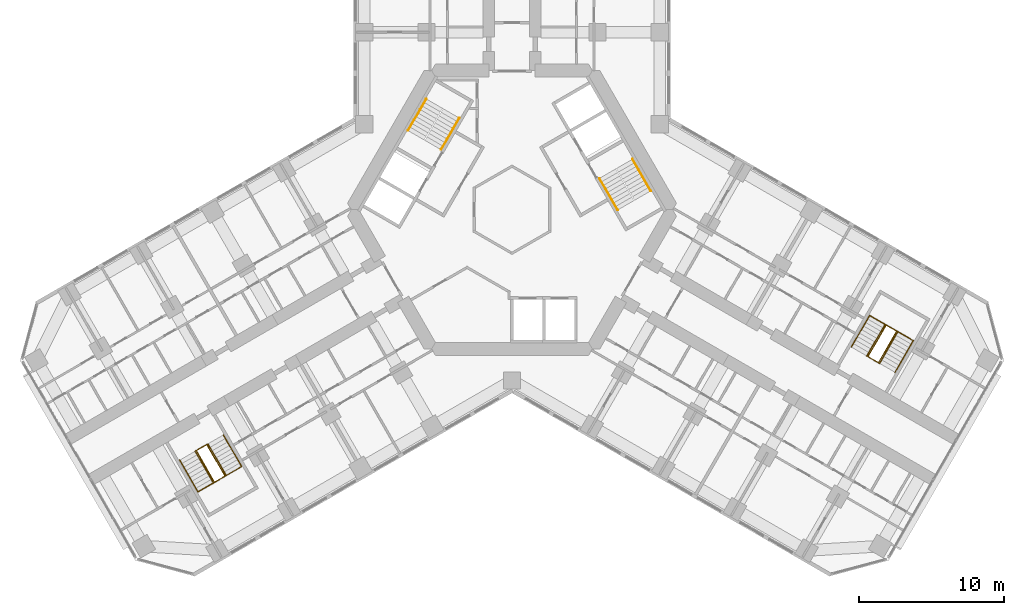
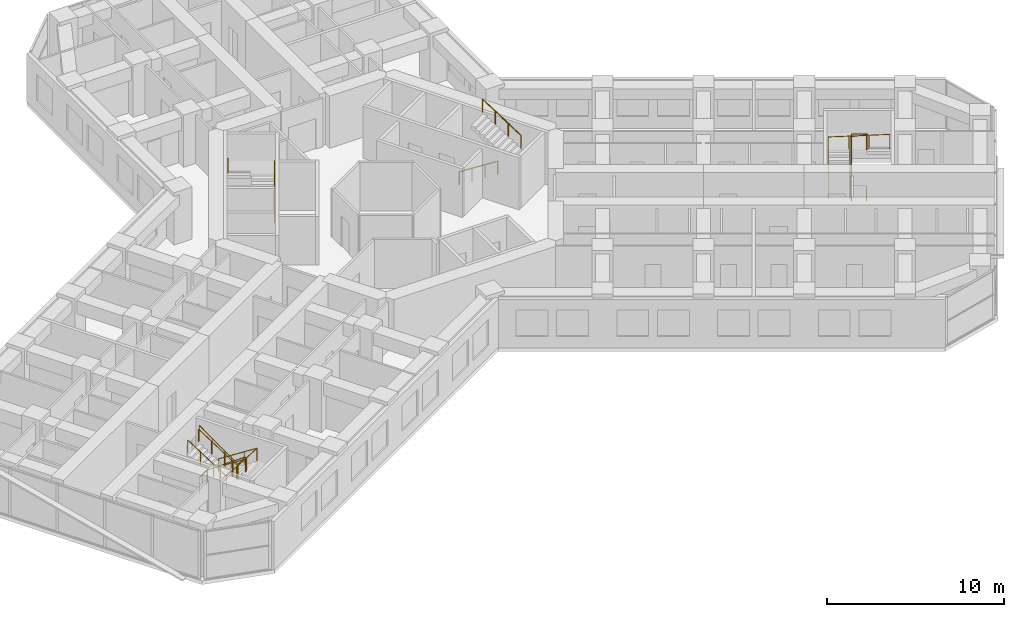
# One storey, part 20 of 20: 10 railings.
"""IFC4 building model written with IfcOpenShell, lengths in metres."""

import ifcopenshell
import ifcopenshell.guid

model = None  # the IFC model being written
_history = None  # IfcOwnerHistory: only IFC2X3 demands one
_inside = {}  # id of a spatial element -> (the spatial element, [elements in it])
_under = {}  # id of a project, library or spatial element -> (it, [spatial elements below it])
_declared = {}  # id of a project -> (the project, [libraries it declares])
_typed = {}  # id of a type object -> (the type object, [elements of that type])
_made_of = {}  # id of a material, layer set ... -> (it, [elements and type objects made of it])


def new_model(schema):
    """Start an empty IFC model of exactly this schema.

    Asked for "IFC4X3", IfcOpenShell would pick the latest addendum, in which some entities
    have other attributes; the version numbers below select the first issue.
    IFC2X3 requires an IfcOwnerHistory on every rooted entity: one is made here for all.
    """
    global model, _history
    if schema == "IFC4X3":
        model = ifcopenshell.file(schema_version=(4, 3, 0, 0))
    else:
        model = ifcopenshell.file(schema=schema)
    _inside.clear()
    _under.clear()
    _declared.clear()
    _typed.clear()
    _made_of.clear()
    _history = None
    if model.schema == "IFC2X3":
        org = make("IfcOrganization", Name="unknown")
        user = make(
            "IfcPersonAndOrganization",
            ThePerson=make("IfcPerson", FamilyName="unknown"),
            TheOrganization=org,
        )
        app = make(
            "IfcApplication",
            ApplicationDeveloper=org,
            Version="unknown",
            ApplicationFullName="unknown",
            ApplicationIdentifier="unknown",
        )
        _history = make(
            "IfcOwnerHistory",
            OwningUser=user,
            OwningApplication=app,
            ChangeAction="ADDED",
            CreationDate=0,
        )
    return model


def make(cls, **values):
    """One entity of the class cls with the attributes given. An attribute that is None is left unset."""
    return model.create_entity(
        cls, **{name: value for name, value in values.items() if value is not None}
    )


def rooted(cls, **values):
    """An entity with a GlobalId (a new one), such as an element, a storey or a relation."""
    return make(cls, GlobalId=ifcopenshell.guid.new(), OwnerHistory=_history, **values)


def si_unit(unit_type, name, prefix=None):
    """IfcSIUnit, for example si_unit("LENGTHUNIT", "METRE", prefix="MILLI")."""
    return make("IfcSIUnit", UnitType=unit_type, Prefix=prefix, Name=name)


def assignment(units):
    """IfcUnitAssignment: the units of a project."""
    return None if units is None else make("IfcUnitAssignment", Units=units)


def point(xyz):
    """IfcCartesianPoint."""
    return None if xyz is None else make("IfcCartesianPoint", Coordinates=xyz)


def direction(xyz):
    """IfcDirection."""
    return None if xyz is None else make("IfcDirection", DirectionRatios=xyz)


def frame(location, z_axis=None, x_axis=None):
    """IfcAxis2Placement3D, a coordinate frame: its origin and axes. An axis left out is left unset."""
    return make(
        "IfcAxis2Placement3D",
        Location=point(location),
        Axis=direction(z_axis),
        RefDirection=direction(x_axis),
    )


def frame_2d(location, x_axis=None):
    """IfcAxis2Placement2D, a coordinate frame in the plane: its origin and x axis."""
    return make(
        "IfcAxis2Placement2D", Location=point(location), RefDirection=direction(x_axis)
    )


def origin():
    """The frame at (0, 0, 0) with its axes left unset."""
    return frame((0.0, 0.0, 0.0))


def origin_2d():
    """The frame at (0, 0) in the plane with its x axis left unset."""
    return frame_2d((0.0, 0.0))


def place(relative_to, where):
    """IfcLocalPlacement: puts the frame where relative to a parent placement (None: the world)."""
    return make(
        "IfcLocalPlacement", PlacementRelTo=relative_to, RelativePlacement=where
    )


def context(
    kind, dimensions, precision=None, world=None, true_north=None, identifier=None
):
    """IfcGeometricRepresentationContext, for example the 3D "Model" context."""
    return make(
        "IfcGeometricRepresentationContext",
        ContextIdentifier=identifier,
        ContextType=kind,
        CoordinateSpaceDimension=dimensions,
        Precision=precision,
        WorldCoordinateSystem=world,
        TrueNorth=true_north,
    )


def subcontext(parent, identifier, kind, view, scale=None):
    """IfcGeometricRepresentationSubContext, for example "Body" below "Model"."""
    return make(
        "IfcGeometricRepresentationSubContext",
        ContextIdentifier=identifier,
        ContextType=kind,
        ParentContext=parent,
        TargetScale=scale,
        TargetView=view,
    )


def project(units=None, contexts=None):
    """IfcProject with its units and contexts."""
    return rooted(
        "IfcProject",
        Name="project",
        RepresentationContexts=contexts,
        UnitsInContext=assignment(units),
    )


def spatial(cls, under=None, at=None, **own):
    """A site, building, storey or space (cls), placed at a placement, below another one or the project."""
    s = rooted(cls, ObjectPlacement=at, **own)
    if under is not None:
        _under.setdefault(under.id(), (under, []))[1].append(s)
    return s


def profile(cls, at=None, kind="AREA", **sizes):
    """A parametric profile (cls). Its sizes go by their IFC names, for example OverallWidth=200.0."""
    return make(cls, ProfileType=kind, Position=at, **sizes)


def circle(**sizes):
    """IfcCircleProfileDef."""
    return profile("IfcCircleProfileDef", **sizes)


def extrude(swept, where, along, depth):
    """IfcExtrudedAreaSolid: the profile swept, set in the frame where, extruded along a direction by depth."""
    return make(
        "IfcExtrudedAreaSolid",
        SweptArea=swept,
        Position=where,
        ExtrudedDirection=direction(along),
        Depth=depth,
    )


def shape(context_of_items, identifier, shape_type, items):
    """IfcShapeRepresentation: the items that make up one representation, for example the "Body"."""
    return make(
        "IfcShapeRepresentation",
        ContextOfItems=context_of_items,
        RepresentationIdentifier=identifier,
        RepresentationType=shape_type,
        Items=items,
    )


def material(Name=None, Category=None):
    """IfcMaterial."""
    return make("IfcMaterial", Name=Name, Category=Category)


def made_of(thing, what):
    """Note that an element or type object is made of a material, layer set ...; save() writes the relation."""
    if what is not None:
        _made_of.setdefault(what.id(), (what, []))[1].append(thing)
    return thing


def type_object(cls, material=None, **own):
    """A type object (cls), such as IfcWallType, which elements share."""
    return made_of(rooted(cls, **own), material)


def element(
    cls,
    number,
    at=None,
    inside=None,
    cuts=None,
    type_object=None,
    material=None,
    context=None,
    identifier="Body",
    shape_type=None,
    held_by="IfcProductDefinitionShape",
    body=None,
    shapes=None,
    **own,
):
    """One element of the class cls, such as IfcWall. Its Tag is "e" and its number.

    at: its placement. inside: the storey or other place that contains it. cuts: it is an
    opening in that element (IfcRelVoidsElement). A single representation is given by context,
    identifier, shape_type and body (its items); several are given by shapes. held_by: the class
    of the entity that holds the representations. save() writes the other relations.
    """
    e = rooted(cls, Tag="e%d" % number, ObjectPlacement=at, **own)
    if body is not None:
        shapes = [shape(context, identifier, shape_type, body)]
    if shapes is not None:
        e.Representation = make(held_by, Representations=shapes)
    if inside is not None:
        _inside.setdefault(inside.id(), (inside, []))[1].append(e)
    if cuts is not None:
        rooted(
            "IfcRelVoidsElement", RelatingBuildingElement=cuts, RelatedOpeningElement=e
        )
    if type_object is not None:
        _typed.setdefault(type_object.id(), (type_object, []))[1].append(e)
    return made_of(e, material)


def aggregate(whole, parts):
    """IfcRelAggregates: a whole, such as a stair, and the parts it consists of."""
    return rooted("IfcRelAggregates", RelatingObject=whole, RelatedObjects=parts)


def save(model, path):
    """Write the relations noted so far, then the file.

    IfcRelAggregates (storeys below a building ...), IfcRelContainedInSpatialStructure (elements
    in a storey), IfcRelDefinesByType, IfcRelAssociatesMaterial and IfcRelDeclares: one each for
    every whole, place, type object, material and project.
    """
    for whole, parts in _under.values():
        aggregate(whole, parts)
    for where, things in _inside.values():
        rooted(
            "IfcRelContainedInSpatialStructure",
            RelatedElements=things,
            RelatingStructure=where,
        )
    for kind, things in _typed.values():
        rooted("IfcRelDefinesByType", RelatedObjects=things, RelatingType=kind)
    for what, things in _made_of.values():
        rooted("IfcRelAssociatesMaterial", RelatedObjects=things, RelatingMaterial=what)
    for by, libraries in _declared.values():
        rooted("IfcRelDeclares", RelatingContext=by, RelatedDefinitions=libraries)
    model.write(path)


model = new_model("IFC4")

# Units and contexts
model_context = context("Model", 3, precision=1e-05, world=origin(), true_north=direction((0.0, 1.0)))
body_context = subcontext(model_context, "Body", "Model", "MODEL_VIEW")
ifc_project = project(units=[si_unit("LENGTHUNIT", "METRE"), si_unit("AREAUNIT", "SQUARE_METRE"), si_unit("VOLUMEUNIT", "CUBIC_METRE"), si_unit("PLANEANGLEUNIT", "RADIAN"), si_unit("MASSUNIT", "GRAM", prefix="KILO")], contexts=[model_context])

# Site, building, storey
site_placement = place(None, origin())
site = spatial("IfcSite", under=ifc_project, at=site_placement, CompositionType="ELEMENT")
building_placement = place(site_placement, origin())
building = spatial("IfcBuilding", under=site, at=building_placement, Name="Kosmar Iwan School Tower", CompositionType="ELEMENT")
storey_placement = place(building_placement, frame((0.0, 0.0, 127.39990234375)))
storey = spatial("IfcBuildingStorey", under=building, at=storey_placement, Name="L31", CompositionType="ELEMENT", Elevation=127.39990234375)

# Railings
ifc_material_1 = material(Name="Black steel", Category="steel")
railing_type_1 = type_object("IfcRailingType", Name="Stair handrail 900", PredefinedType="HANDRAIL", material=ifc_material_1)
railing_1_placement = place(storey_placement, frame((-4.89453125, 4.142333984375, 0.18017578125)))
element("IfcRailing", 1, at=railing_1_placement, inside=storey, type_object=railing_type_1, Name="Handrail ST2 flight 1", PredefinedType="HANDRAIL", context=body_context, shape_type="SweptSolid", body=[
    extrude(circle(Radius=0.02392578125, at=origin_2d()), frame((0.0, 0.0, 0.8759765625), z_axis=(0.42060268101, 0.72849590497, 0.54072830624), x_axis=(-0.866022637375, 0.500004791531, 0.0)), (0.0, 0.0, 1.0), 2.99560546875),
    extrude(circle(Radius=0.02099609375, at=origin_2d()), origin(), (0.0, 0.0, 1.0), 0.851806640625),
    extrude(circle(Radius=0.02099609375, at=origin_2d()), frame((0.419921875, 0.7275390625, 0.5400390625)), (0.0, 0.0, 1.0), 0.851806640625),
    extrude(circle(Radius=0.02099609375, at=origin_2d()), frame((0.840087890625, 1.454833984375, 1.079833984375)), (0.0, 0.0, 1.0), 0.851806640625),
    extrude(circle(Radius=0.02099609375, at=origin_2d()), frame((1.260009765625, 2.182373046875, 1.619873046875)), (0.0, 0.0, 1.0), 0.851806640625),
])
railing_2_placement = place(storey_placement, frame((-5.912353515625, 7.6396484375, 1.97998046875)))
element("IfcRailing", 2, at=railing_2_placement, inside=storey, type_object=railing_type_1, Name="Handrail ST2 flight 2", PredefinedType="HANDRAIL", context=body_context, shape_type="SweptSolid", body=[
    extrude(circle(Radius=0.02392578125, at=origin_2d()), frame((0.0, 0.0, 0.8759765625), z_axis=(-0.420584145978, -0.728463801763, 0.540785970299), x_axis=(0.866022637375, -0.500004791531, 0.0)), (0.0, 0.0, 1.0), 2.995849609375),
    extrude(circle(Radius=0.02099609375, at=origin_2d()), origin(), (0.0, 0.0, 1.0), 0.851806640625),
    extrude(circle(Radius=0.02099609375, at=origin_2d()), frame((-0.419921875, -0.7275390625, 0.5400390625)), (0.0, 0.0, 1.0), 0.851806640625),
    extrude(circle(Radius=0.02099609375, at=origin_2d()), frame((-0.840087890625, -1.454833984375, 1.080078125)), (0.0, 0.0, 1.0), 0.851806640625),
    extrude(circle(Radius=0.02099609375, at=origin_2d()), frame((-1.260009765625, -2.182373046875, 1.6201171875)), (0.0, 0.0, 1.0), 0.851806640625),
])
railing_3_placement = place(storey_placement, frame((6.03466796875, 2.167724609375, 0.18017578125)))
element("IfcRailing", 3, at=railing_3_placement, inside=storey, type_object=railing_type_1, Name="Handrail ST1 flight 1", PredefinedType="HANDRAIL", context=body_context, shape_type="SweptSolid", body=[
    extrude(circle(Radius=0.02392578125, at=origin_2d()), frame((0.0, 0.0, 0.8759765625), z_axis=(0.42060268101, -0.72849590497, 0.54072830624), x_axis=(0.866022637375, 0.500004791531, 0.0)), (0.0, 0.0, 1.0), 2.99560546875),
    extrude(circle(Radius=0.02099609375, at=origin_2d()), origin(), (0.0, 0.0, 1.0), 0.851806640625),
    extrude(circle(Radius=0.02099609375, at=origin_2d()), frame((0.419921875, -0.7275390625, 0.5400390625)), (0.0, 0.0, 1.0), 0.851806640625),
    extrude(circle(Radius=0.02099609375, at=origin_2d()), frame((0.840087890625, -1.454833984375, 1.079833984375)), (0.0, 0.0, 1.0), 0.851806640625),
    extrude(circle(Radius=0.02099609375, at=origin_2d()), frame((1.260009765625, -2.182373046875, 1.619873046875)), (0.0, 0.0, 1.0), 0.851806640625),
])
railing_4_placement = place(storey_placement, frame((9.572265625, 1.30029296875, 1.97998046875)))
element("IfcRailing", 4, at=railing_4_placement, inside=storey, type_object=railing_type_1, Name="Handrail ST1 flight 2", PredefinedType="HANDRAIL", context=body_context, shape_type="SweptSolid", body=[
    extrude(circle(Radius=0.02392578125, at=origin_2d()), frame((0.0, 0.0, 0.8759765625), z_axis=(-0.420584145978, 0.728463801763, 0.540785970299), x_axis=(-0.866022637375, -0.500004791531, 0.0)), (0.0, 0.0, 1.0), 2.995849609375),
    extrude(circle(Radius=0.02099609375, at=origin_2d()), origin(), (0.0, 0.0, 1.0), 0.851806640625),
    extrude(circle(Radius=0.02099609375, at=origin_2d()), frame((-0.419921875, 0.7275390625, 0.5400390625)), (0.0, 0.0, 1.0), 0.851806640625),
    extrude(circle(Radius=0.02099609375, at=origin_2d()), frame((-0.840087890625, 1.454833984375, 1.080078125)), (0.0, 0.0, 1.0), 0.851806640625),
    extrude(circle(Radius=0.02099609375, at=origin_2d()), frame((-1.260009765625, 2.182373046875, 1.6201171875)), (0.0, 0.0, 1.0), 0.851806640625),
])
railing_5_placement = place(storey_placement, frame((-19.9091796875, -15.5361328125, 0.18017578125)))
element("IfcRailing", 5, at=railing_5_placement, inside=storey, type_object=railing_type_1, Name="Handrail stair WS2 L31 wall side", PredefinedType="HANDRAIL", context=body_context, shape_type="SweptSolid", body=[
    extrude(circle(Radius=0.02392578125, at=origin_2d()), frame((0.0, 0.0, 0.8759765625), z_axis=(0.420535598452, -0.728520874915, 0.540746840257), x_axis=(0.866064587494, 0.499932125682, 0.0)), (0.0, 0.0, 1.0), 2.99560546875),
    extrude(circle(Radius=0.02392578125, at=origin_2d()), frame((1.259765625, -2.182373046875, 2.49560546875), z_axis=(-0.864864352349, -0.499342858003, 0.051636829851), x_axis=(0.500009906705, -0.86601968407, 0.0)), (0.0, 0.0, 1.0), 3.484619140625),
    extrude(circle(Radius=0.02392578125, at=origin_2d()), frame((-1.75390625, -3.92236328125, 2.67578125), z_axis=(-0.420584145978, 0.728463801763, 0.540785970299), x_axis=(-0.866022637375, -0.500004791531, 0.0)), (0.0, 0.0, 1.0), 2.995849609375),
    extrude(circle(Radius=0.02099609375, at=origin_2d()), origin(), (0.0, 0.0, 1.0), 0.851806640625),
    extrude(circle(Radius=0.02099609375, at=origin_2d()), frame((0.419921875, -0.7275390625, 0.5400390625)), (0.0, 0.0, 1.0), 0.851806640625),
    extrude(circle(Radius=0.02099609375, at=origin_2d()), frame((0.83984375, -1.454833984375, 1.079833984375)), (0.0, 0.0, 1.0), 0.851806640625),
    extrude(circle(Radius=0.02099609375, at=origin_2d()), frame((1.259765625, -2.182373046875, 1.619873046875)), (0.0, 0.0, 1.0), 0.851806640625),
    extrude(circle(Radius=0.02099609375, at=origin_2d()), frame((0.255126953125, -2.762451171875, 1.679931640625)), (0.0, 0.0, 1.0), 0.851806640625),
    extrude(circle(Radius=0.02099609375, at=origin_2d()), frame((-0.749267578125, -3.34228515625, 1.73974609375)), (0.0, 0.0, 1.0), 0.851806640625),
    extrude(circle(Radius=0.02099609375, at=origin_2d()), frame((-1.75390625, -3.92236328125, 1.7998046875)), (0.0, 0.0, 1.0), 0.851806640625),
    extrude(circle(Radius=0.02099609375, at=origin_2d()), frame((-2.173828125, -3.19482421875, 2.33984375)), (0.0, 0.0, 1.0), 0.851806640625),
    extrude(circle(Radius=0.02099609375, at=origin_2d()), frame((-2.593994140625, -2.467529296875, 2.8798828125)), (0.0, 0.0, 1.0), 0.851806640625),
    extrude(circle(Radius=0.02099609375, at=origin_2d()), frame((-3.013916015625, -1.739990234375, 3.419921875)), (0.0, 0.0, 1.0), 0.851806640625),
])
railing_6_placement = place(storey_placement, frame((-20.974609375, -16.151123046875, 0.18017578125)))
element("IfcRailing", 6, at=railing_6_placement, inside=storey, type_object=railing_type_1, Name="Handrail stair WS2 L31 well side", PredefinedType="HANDRAIL", context=body_context, shape_type="SweptSolid", body=[
    extrude(circle(Radius=0.02392578125, at=origin_2d()), frame((0.0, 0.0, 0.8759765625), z_axis=(0.42060268101, -0.72849590497, 0.54072830624), x_axis=(0.866022637375, 0.500004791531, 0.0)), (0.0, 0.0, 1.0), 2.99560546875),
    extrude(circle(Radius=0.02392578125, at=origin_2d()), frame((1.260009765625, -2.182373046875, 2.49560546875), z_axis=(-0.852841519511, -0.492422867401, 0.173726976197), x_axis=(0.500026340207, -0.866010195725, 0.0)), (0.0, 0.0, 1.0), 1.03564453125),
    extrude(circle(Radius=0.02392578125, at=origin_2d()), frame((0.376708984375, -2.6923828125, 2.67578125), z_axis=(-0.420584145978, 0.728463801763, 0.540785970299), x_axis=(-0.866022637375, -0.500004791531, 0.0)), (0.0, 0.0, 1.0), 2.995849609375),
    extrude(circle(Radius=0.02099609375, at=origin_2d()), origin(), (0.0, 0.0, 1.0), 0.851806640625),
    extrude(circle(Radius=0.02099609375, at=origin_2d()), frame((0.419921875, -0.7275390625, 0.5400390625)), (0.0, 0.0, 1.0), 0.851806640625),
    extrude(circle(Radius=0.02099609375, at=origin_2d()), frame((0.840087890625, -1.454833984375, 1.079833984375)), (0.0, 0.0, 1.0), 0.851806640625),
    extrude(circle(Radius=0.02099609375, at=origin_2d()), frame((1.260009765625, -2.182373046875, 1.619873046875)), (0.0, 0.0, 1.0), 0.851806640625),
    extrude(circle(Radius=0.02099609375, at=origin_2d()), frame((0.376708984375, -2.6923828125, 1.7998046875)), (0.0, 0.0, 1.0), 0.851806640625),
    extrude(circle(Radius=0.02099609375, at=origin_2d()), frame((-0.043212890625, -1.96484375, 2.33984375)), (0.0, 0.0, 1.0), 0.851806640625),
    extrude(circle(Radius=0.02099609375, at=origin_2d()), frame((-0.46337890625, -1.237548828125, 2.8798828125)), (0.0, 0.0, 1.0), 0.851806640625),
    extrude(circle(Radius=0.02099609375, at=origin_2d()), frame((-0.88330078125, -0.510009765625, 3.419921875)), (0.0, 0.0, 1.0), 0.851806640625),
])
railing_7_placement = place(storey_placement, frame((23.4091796875, -9.473876953125, 0.18017578125)))
element("IfcRailing", 7, at=railing_7_placement, inside=storey, type_object=railing_type_1, Name="Handrail stair WS3 L31 wall side", PredefinedType="HANDRAIL", context=body_context, shape_type="SweptSolid", body=[
    extrude(circle(Radius=0.02392578125, at=origin_2d()), frame((0.0, 0.0, 0.8759765625), z_axis=(0.42060268101, 0.72849590497, 0.54072830624), x_axis=(-0.866022637375, 0.500004791531, 0.0)), (0.0, 0.0, 1.0), 2.99560546875),
    extrude(circle(Radius=0.02392578125, at=origin_2d()), frame((1.260009765625, 2.182373046875, 2.49560546875), z_axis=(0.864882007433, -0.499312601618, 0.051633701051), x_axis=(0.499979528911, 0.866037222451, 0.0)), (0.0, 0.0, 1.0), 3.48486328125),
    extrude(circle(Radius=0.02392578125, at=origin_2d()), frame((4.27392578125, 0.4423828125, 2.67578125), z_axis=(-0.420584145978, -0.728463801763, 0.540785970299), x_axis=(0.866022637375, -0.500004791531, 0.0)), (0.0, 0.0, 1.0), 2.995849609375),
    extrude(circle(Radius=0.02099609375, at=origin_2d()), origin(), (0.0, 0.0, 1.0), 0.851806640625),
    extrude(circle(Radius=0.02099609375, at=origin_2d()), frame((0.419921875, 0.7275390625, 0.5400390625)), (0.0, 0.0, 1.0), 0.851806640625),
    extrude(circle(Radius=0.02099609375, at=origin_2d()), frame((0.840087890625, 1.454833984375, 1.079833984375)), (0.0, 0.0, 1.0), 0.851806640625),
    extrude(circle(Radius=0.02099609375, at=origin_2d()), frame((1.260009765625, 2.182373046875, 1.619873046875)), (0.0, 0.0, 1.0), 0.851806640625),
    extrude(circle(Radius=0.02099609375, at=origin_2d()), frame((2.2646484375, 1.602294921875, 1.679931640625)), (0.0, 0.0, 1.0), 0.851806640625),
    extrude(circle(Radius=0.02099609375, at=origin_2d()), frame((3.269287109375, 1.0224609375, 1.73974609375)), (0.0, 0.0, 1.0), 0.851806640625),
    extrude(circle(Radius=0.02099609375, at=origin_2d()), frame((4.27392578125, 0.4423828125, 1.7998046875)), (0.0, 0.0, 1.0), 0.851806640625),
    extrude(circle(Radius=0.02099609375, at=origin_2d()), frame((3.85400390625, -0.28515625, 2.33984375)), (0.0, 0.0, 1.0), 0.851806640625),
    extrude(circle(Radius=0.02099609375, at=origin_2d()), frame((3.433837890625, -1.012451171875, 2.8798828125)), (0.0, 0.0, 1.0), 0.851806640625),
    extrude(circle(Radius=0.02099609375, at=origin_2d()), frame((3.013916015625, -1.739990234375, 3.419921875)), (0.0, 0.0, 1.0), 0.851806640625),
])
railing_8_placement = place(storey_placement, frame((24.474609375, -10.0888671875, 0.18017578125)))
element("IfcRailing", 8, at=railing_8_placement, inside=storey, type_object=railing_type_1, Name="Handrail stair WS3 L31 well side", PredefinedType="HANDRAIL", context=body_context, shape_type="SweptSolid", body=[
    extrude(circle(Radius=0.02392578125, at=origin_2d()), frame((0.0, 0.0, 0.8759765625), z_axis=(0.42060268101, 0.72849590497, 0.54072830624), x_axis=(-0.866022637375, 0.500004791531, 0.0)), (0.0, 0.0, 1.0), 2.99560546875),
    extrude(circle(Radius=0.02392578125, at=origin_2d()), frame((1.260009765625, 2.182373046875, 2.49560546875), z_axis=(0.852841519511, -0.492422867401, 0.173726976197), x_axis=(0.500026340207, 0.866010195725, 0.0)), (0.0, 0.0, 1.0), 1.03564453125),
    extrude(circle(Radius=0.02392578125, at=origin_2d()), frame((2.143310546875, 1.67236328125, 2.67578125), z_axis=(-0.420584145978, -0.728463801763, 0.540785970299), x_axis=(0.866022637375, -0.500004791531, 0.0)), (0.0, 0.0, 1.0), 2.995849609375),
    extrude(circle(Radius=0.02099609375, at=origin_2d()), origin(), (0.0, 0.0, 1.0), 0.851806640625),
    extrude(circle(Radius=0.02099609375, at=origin_2d()), frame((0.419921875, 0.7275390625, 0.5400390625)), (0.0, 0.0, 1.0), 0.851806640625),
    extrude(circle(Radius=0.02099609375, at=origin_2d()), frame((0.840087890625, 1.454833984375, 1.079833984375)), (0.0, 0.0, 1.0), 0.851806640625),
    extrude(circle(Radius=0.02099609375, at=origin_2d()), frame((1.260009765625, 2.182373046875, 1.619873046875)), (0.0, 0.0, 1.0), 0.851806640625),
    extrude(circle(Radius=0.02099609375, at=origin_2d()), frame((2.143310546875, 1.67236328125, 1.7998046875)), (0.0, 0.0, 1.0), 0.851806640625),
    extrude(circle(Radius=0.02099609375, at=origin_2d()), frame((1.723388671875, 0.94482421875, 2.33984375)), (0.0, 0.0, 1.0), 0.851806640625),
    extrude(circle(Radius=0.02099609375, at=origin_2d()), frame((1.30322265625, 0.217529296875, 2.8798828125)), (0.0, 0.0, 1.0), 0.851806640625),
    extrude(circle(Radius=0.02099609375, at=origin_2d()), frame((0.88330078125, -0.510009765625, 3.419921875)), (0.0, 0.0, 1.0), 0.851806640625),
])
ifc_material_2 = material(Name="Black steel", Category="steel")
railing_type_2 = type_object("IfcRailingType", Name="Stair well guard 1100", PredefinedType="GUARDRAIL", material=ifc_material_2)
railing_9_placement = place(storey_placement, frame((-21.780029296875, -16.6162109375, 0.0)))
element("IfcRailing", 9, at=railing_9_placement, inside=storey, type_object=railing_type_2, Name="Stair WS2 L31 well guard", PredefinedType="GUARDRAIL", context=body_context, shape_type="SweptSolid", body=[
    extrude(circle(Radius=0.02392578125, at=origin_2d()), frame((0.0, 0.0, 1.076171875), z_axis=(0.865962960534, 0.500108139288, 0.0), x_axis=(-0.500108139288, 0.865962960534, 0.0)), (0.0, 0.0, 1.0), 0.840087890625),
    extrude(circle(Radius=0.02392578125, at=origin_2d()), frame((0.7275390625, 0.420166015625, 1.076171875), z_axis=(0.40686665399, -0.704704712268, 0.58124933925), x_axis=(0.866022637375, 0.500004791531, 0.0)), (0.0, 0.0, 1.0), 3.096923828125),
    extrude(circle(Radius=0.02392578125, at=origin_2d()), frame((1.987548828125, -1.76220703125, 2.8759765625), z_axis=(-0.865962960534, -0.500108139288, 0.0), x_axis=(0.500108139288, -0.865962960534, 0.0)), (0.0, 0.0, 1.0), 0.840087890625),
    extrude(circle(Radius=0.02392578125, at=origin_2d()), frame((1.260009765625, -2.182373046875, 2.8759765625), z_axis=(-0.40686665399, 0.704704712268, 0.58124933925), x_axis=(-0.866022637375, -0.500004791531, 0.0)), (0.0, 0.0, 1.0), 3.096923828125),
    extrude(circle(Radius=0.02099609375, at=origin_2d()), origin(), (0.0, 0.0, 1.0), 1.052001953125),
    extrude(circle(Radius=0.02099609375, at=origin_2d()), frame((0.7275390625, 0.420166015625, 0.0)), (0.0, 0.0, 1.0), 1.052001953125),
    extrude(circle(Radius=0.02099609375, at=origin_2d()), frame((1.1474609375, -0.307373046875, 0.60009765625)), (0.0, 0.0, 1.0), 1.052001953125),
    extrude(circle(Radius=0.02099609375, at=origin_2d()), frame((1.567626953125, -1.03466796875, 1.199951171875)), (0.0, 0.0, 1.0), 1.052001953125),
    extrude(circle(Radius=0.02099609375, at=origin_2d()), frame((1.987548828125, -1.76220703125, 1.800048828125)), (0.0, 0.0, 1.0), 1.052001953125),
    extrude(circle(Radius=0.02099609375, at=origin_2d()), frame((1.260009765625, -2.182373046875, 1.800048828125)), (0.0, 0.0, 1.0), 1.052001953125),
    extrude(circle(Radius=0.02099609375, at=origin_2d()), frame((0.840087890625, -1.454833984375, 2.400146484375)), (0.0, 0.0, 1.0), 1.052001953125),
    extrude(circle(Radius=0.02099609375, at=origin_2d()), frame((0.419921875, -0.7275390625, 3.0)), (0.0, 0.0, 1.0), 1.052001953125),
    extrude(circle(Radius=0.02099609375, at=origin_2d()), frame((0.0, 0.0, 3.60009765625)), (0.0, 0.0, 1.0), 1.052001953125),
])
railing_10_placement = place(storey_placement, frame((25.280029296875, -10.553955078125, 0.0)))
element("IfcRailing", 10, at=railing_10_placement, inside=storey, type_object=railing_type_2, Name="Stair WS3 L31 well guard", PredefinedType="GUARDRAIL", context=body_context, shape_type="SweptSolid", body=[
    extrude(circle(Radius=0.02392578125, at=origin_2d()), frame((0.0, 0.0, 1.076171875), z_axis=(-0.865962960534, 0.500108139288, 0.0), x_axis=(-0.500108139288, -0.865962960534, 0.0)), (0.0, 0.0, 1.0), 0.840087890625),
    extrude(circle(Radius=0.02392578125, at=origin_2d()), frame((-0.7275390625, 0.420166015625, 1.076171875), z_axis=(0.40686665399, 0.704704712268, 0.58124933925), x_axis=(-0.866022637375, 0.500004791531, 0.0)), (0.0, 0.0, 1.0), 3.096923828125),
    extrude(circle(Radius=0.02392578125, at=origin_2d()), frame((0.532470703125, 2.6025390625, 2.8759765625), z_axis=(0.865890253765, -0.500234013672, 0.0), x_axis=(0.500234013672, 0.865890253765, 0.0)), (0.0, 0.0, 1.0), 0.83984375),
    extrude(circle(Radius=0.02392578125, at=origin_2d()), frame((1.259765625, 2.182373046875, 2.8759765625), z_axis=(-0.406800866334, -0.70472731476, 0.58126798207), x_axis=(0.866064587494, -0.499932125682, 0.0)), (0.0, 0.0, 1.0), 3.0966796875),
    extrude(circle(Radius=0.02099609375, at=origin_2d()), origin(), (0.0, 0.0, 1.0), 1.052001953125),
    extrude(circle(Radius=0.02099609375, at=origin_2d()), frame((-0.7275390625, 0.420166015625, 0.0)), (0.0, 0.0, 1.0), 1.052001953125),
    extrude(circle(Radius=0.02099609375, at=origin_2d()), frame((-0.3076171875, 1.147705078125, 0.60009765625)), (0.0, 0.0, 1.0), 1.052001953125),
    extrude(circle(Radius=0.02099609375, at=origin_2d()), frame((0.112548828125, 1.875, 1.199951171875)), (0.0, 0.0, 1.0), 1.052001953125),
    extrude(circle(Radius=0.02099609375, at=origin_2d()), frame((0.532470703125, 2.6025390625, 1.800048828125)), (0.0, 0.0, 1.0), 1.052001953125),
    extrude(circle(Radius=0.02099609375, at=origin_2d()), frame((1.259765625, 2.182373046875, 1.800048828125)), (0.0, 0.0, 1.0), 1.052001953125),
    extrude(circle(Radius=0.02099609375, at=origin_2d()), frame((0.83984375, 1.454833984375, 2.400146484375)), (0.0, 0.0, 1.0), 1.052001953125),
    extrude(circle(Radius=0.02099609375, at=origin_2d()), frame((0.419921875, 0.7275390625, 3.0)), (0.0, 0.0, 1.0), 1.052001953125),
    extrude(circle(Radius=0.02099609375, at=origin_2d()), frame((0.0, 0.0, 3.60009765625)), (0.0, 0.0, 1.0), 1.052001953125),
])

save(model, "model.ifc")
